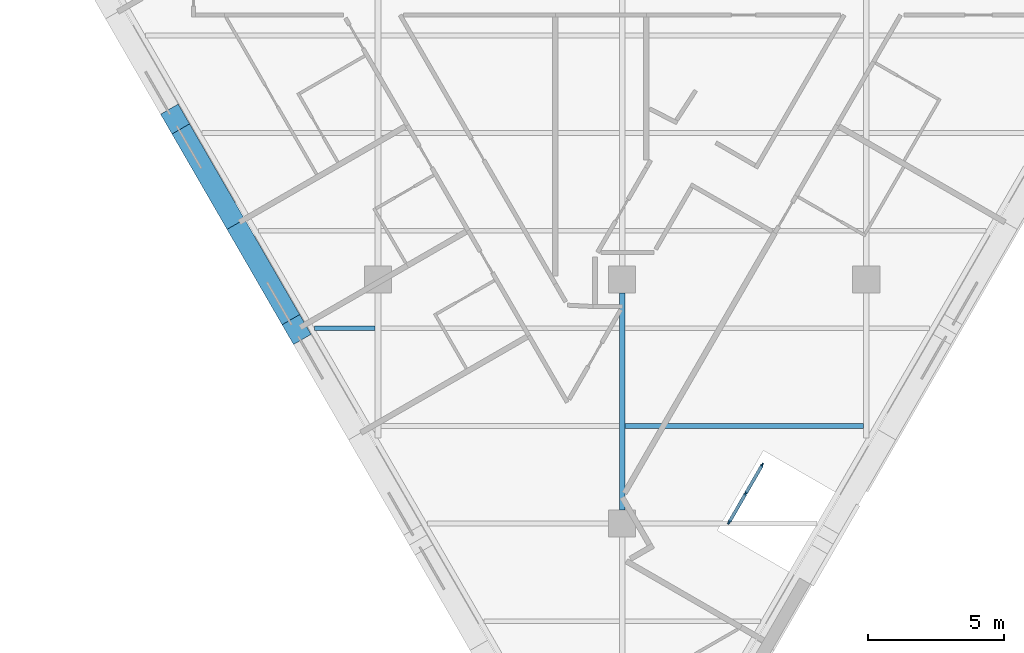
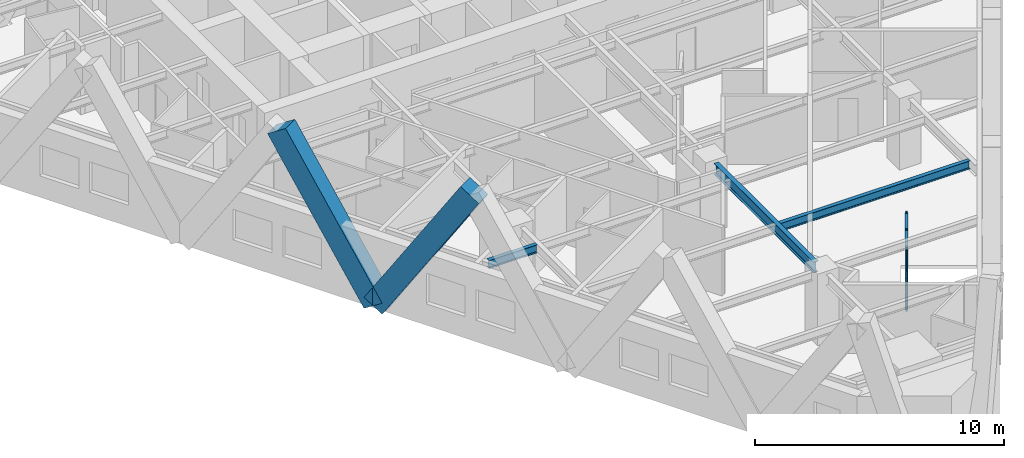
# One storey, part 2 of 12: 11 members, 3 beams, 1 element without a shape of its own.
"""IFC4 building model written with IfcOpenShell, lengths in metres."""

from ifc_helpers import new_model, si_unit, direction, frame, origin, origin_2d, place, context, subcontext, project, spatial, rectangle, i_section, extrude, material, material_profile, profile_set, type_object, element, aggregate, save


model = new_model("IFC4")

# Units and contexts
model_context = context("Model", 3, precision=1e-05, world=origin(), true_north=direction((0.0, 1.0)))
body_context = subcontext(model_context, "Body", "Model", "MODEL_VIEW")
ifc_project = project(units=[si_unit("LENGTHUNIT", "METRE"), si_unit("AREAUNIT", "SQUARE_METRE"), si_unit("VOLUMEUNIT", "CUBIC_METRE"), si_unit("PLANEANGLEUNIT", "RADIAN"), si_unit("MASSUNIT", "GRAM", prefix="KILO")], contexts=[model_context])

# Site, building, storey
site_placement = place(None, origin())
site = spatial("IfcSite", under=ifc_project, at=site_placement, CompositionType="ELEMENT")
building_placement = place(site_placement, origin())
building = spatial("IfcBuilding", under=site, at=building_placement, Name="Aloe Facet Convention Tower", CompositionType="ELEMENT")
storey_placement = place(building_placement, frame((0.0, 0.0, 70.0)))
storey = spatial("IfcBuildingStorey", under=building, at=storey_placement, Name="L16", CompositionType="ELEMENT", Elevation=70.0)

# Curtain wall, members
ifc_material_1 = material(Name="Aluminium, anodised", Category="aluminium")
curtain_wall_type = type_object("IfcCurtainWallType", Name="EV-CW-TERRACE", PredefinedType="USERDEFINED", material=ifc_material_1)
curtain_wall_placement = place(storey_placement, origin())
curtain_wall = element("IfcCurtainWall", 1, at=curtain_wall_placement, inside=storey, type_object=curtain_wall_type, Name="CW-T03", ObjectType="TERRACE BACK GLAZING", PredefinedType="USERDEFINED")
ifc_material_2 = material(Name="Aluminium, anodised", Category="aluminium")
ifc_material_profile_1 = material_profile(ifc_material_2, rectangle(XDim=0.06005859375, YDim=0.14990234375, at=origin_2d()), Name="AL 60x150")
ifc_profile_set_1 = profile_set([ifc_material_profile_1], Name="Aluminium, anodised")
member_type_1 = type_object("IfcMemberType", Name="EV-MULL-TERRACE", PredefinedType="MULLION", material=ifc_profile_set_1)
member_1_placement = place(storey_placement, frame((83.944091796875, 99.0517578125, -0.14990234375), z_axis=(0.0, 0.0, 1.0), x_axis=(-0.866025403741, 0.500000000076, 0.0)))
member_1 = element("IfcMember", 2, at=member_1_placement, type_object=member_type_1, Name="CW-T03 mullion 1", PredefinedType="MULLION", context=body_context, shape_type="SweptSolid", body=[
    extrude(rectangle(XDim=0.06005859375, YDim=0.14990234375, at=origin_2d()), origin(), (0.0, 0.0, 1.0), 3.097412109375),
])
member_2_placement = place(storey_placement, frame((84.553955078125, 100.1083984375, -0.14990234375), z_axis=(0.0, 0.0, 1.0), x_axis=(-0.866025403741, 0.500000000076, 0.0)))
member_2 = element("IfcMember", 3, at=member_2_placement, type_object=member_type_1, Name="CW-T03 mullion 2", PredefinedType="MULLION", context=body_context, shape_type="SweptSolid", body=[
    extrude(rectangle(XDim=0.06005859375, YDim=0.14990234375, at=origin_2d()), origin(), (0.0, 0.0, 1.0), 3.097412109375),
])
member_3_placement = place(storey_placement, frame((85.1640625, 101.1650390625, -0.14990234375), z_axis=(0.0, 0.0, 1.0), x_axis=(-0.866025403741, 0.500000000076, 0.0)))
member_3 = element("IfcMember", 4, at=member_3_placement, type_object=member_type_1, Name="CW-T03 mullion 3", PredefinedType="MULLION", context=body_context, shape_type="SweptSolid", body=[
    extrude(rectangle(XDim=0.06005859375, YDim=0.14990234375, at=origin_2d()), origin(), (0.0, 0.0, 1.0), 3.097412109375),
])
ifc_material_3 = material(Name="Aluminium, anodised", Category="aluminium")
ifc_material_profile_2 = material_profile(ifc_material_3, rectangle(XDim=0.1201171875, YDim=0.06005859375, at=origin_2d()), Name="AL 120x60")
ifc_profile_set_2 = profile_set([ifc_material_profile_2], Name="Aluminium, anodised")
member_type_2 = type_object("IfcMemberType", Name="EV-TRAN-TERRACE", PredefinedType="USERDEFINED", material=ifc_profile_set_2)
member_4_placement = place(storey_placement, frame((83.958984375, 99.077880859375, -0.1201171875), z_axis=(0.500032142234, 0.866006845662, 0.0), x_axis=(-0.866006845662, 0.500032142234, 0.0)))
member_4 = element("IfcMember", 5, at=member_4_placement, type_object=member_type_2, Name="CW-T03 transom 1.1", ObjectType="TRANSOM", PredefinedType="USERDEFINED", context=body_context, shape_type="SweptSolid", body=[
    extrude(rectangle(XDim=0.1201171875, YDim=0.06005859375, at=origin_2d()), origin(), (0.0, 0.0, 1.0), 1.16015625),
])
member_5_placement = place(storey_placement, frame((83.958984375, 99.077880859375, 1.398681640625), z_axis=(0.500032142234, 0.866006845662, 0.0), x_axis=(-0.866006845662, 0.500032142234, 0.0)))
member_5 = element("IfcMember", 6, at=member_5_placement, type_object=member_type_2, Name="CW-T03 transom 1.2", ObjectType="TRANSOM", PredefinedType="USERDEFINED", context=body_context, shape_type="SweptSolid", body=[
    extrude(rectangle(XDim=0.1201171875, YDim=0.06005859375, at=origin_2d()), origin(), (0.0, 0.0, 1.0), 1.16015625),
])
member_6_placement = place(storey_placement, frame((83.958984375, 99.077880859375, 2.91748046875), z_axis=(0.500032142234, 0.866006845662, 0.0), x_axis=(-0.866006845662, 0.500032142234, 0.0)))
member_6 = element("IfcMember", 7, at=member_6_placement, type_object=member_type_2, Name="CW-T03 transom 1.3", ObjectType="TRANSOM", PredefinedType="USERDEFINED", context=body_context, shape_type="SweptSolid", body=[
    extrude(rectangle(XDim=0.1201171875, YDim=0.06005859375, at=origin_2d()), origin(), (0.0, 0.0, 1.0), 1.16015625),
])
member_7_placement = place(storey_placement, frame((84.569091796875, 100.13427734375, -0.1201171875), z_axis=(0.500032142234, 0.866006845662, 0.0), x_axis=(-0.866006845662, 0.500032142234, 0.0)))
member_7 = element("IfcMember", 8, at=member_7_placement, type_object=member_type_2, Name="CW-T03 transom 2.1", ObjectType="TRANSOM", PredefinedType="USERDEFINED", context=body_context, shape_type="SweptSolid", body=[
    extrude(rectangle(XDim=0.1201171875, YDim=0.06005859375, at=origin_2d()), origin(), (0.0, 0.0, 1.0), 1.16015625),
])
member_8_placement = place(storey_placement, frame((84.569091796875, 100.13427734375, 1.398681640625), z_axis=(0.500032142234, 0.866006845662, 0.0), x_axis=(-0.866006845662, 0.500032142234, 0.0)))
member_8 = element("IfcMember", 9, at=member_8_placement, type_object=member_type_2, Name="CW-T03 transom 2.2", ObjectType="TRANSOM", PredefinedType="USERDEFINED", context=body_context, shape_type="SweptSolid", body=[
    extrude(rectangle(XDim=0.1201171875, YDim=0.06005859375, at=origin_2d()), origin(), (0.0, 0.0, 1.0), 1.16015625),
])
member_9_placement = place(storey_placement, frame((84.569091796875, 100.13427734375, 2.91748046875), z_axis=(0.500032142234, 0.866006845662, 0.0), x_axis=(-0.866006845662, 0.500032142234, 0.0)))
member_9 = element("IfcMember", 10, at=member_9_placement, type_object=member_type_2, Name="CW-T03 transom 2.3", ObjectType="TRANSOM", PredefinedType="USERDEFINED", context=body_context, shape_type="SweptSolid", body=[
    extrude(rectangle(XDim=0.1201171875, YDim=0.06005859375, at=origin_2d()), origin(), (0.0, 0.0, 1.0), 1.16015625),
])
aggregate(curtain_wall, [member_1, member_2, member_3, member_4, member_5, member_6, member_7, member_8, member_9])

# Beams
ifc_material_4 = material(Name="Steel S355", Category="steel")
ifc_material_profile_3 = material_profile(ifc_material_4, i_section(OverallWidth=0.177734375, OverallDepth=0.402587890625, WebThickness=0.0078125, FlangeThickness=0.010986328125, FilletRadius=0.01025390625, at=origin_2d()), Name="UB 406x178x54")
ifc_profile_set_3 = profile_set([ifc_material_profile_3], Name="Steel S355")
beam_type_1 = type_object("IfcBeamType", Name="SF-B-UB406x178x54", PredefinedType="BEAM", material=ifc_profile_set_3)
beam_1_placement = place(storey_placement, frame((68.665283203125, 106.199951171875, 3.148681640625), z_axis=(1.0, 0.0, 0.0), x_axis=(0.0, 1.0, 0.0)))
element("IfcBeam", 11, at=beam_1_placement, inside=storey, type_object=beam_type_1, Name="Floor beam FB-Z1B-023", PredefinedType="BEAM", context=body_context, shape_type="SweptSolid", body=[
    extrude(i_section(OverallWidth=0.177734375, OverallDepth=0.402587890625, WebThickness=0.0078125, FlangeThickness=0.010986328125, FilletRadius=0.01025390625, at=origin_2d()), origin(), (0.0, 0.0, 1.0), 2.229248046875),
])
beam_2_placement = place(storey_placement, frame((80.10546875, 102.60009765625, 3.148681640625), z_axis=(1.0, 0.0, 0.0), x_axis=(0.0, 1.0, 0.0)))
element("IfcBeam", 12, at=beam_2_placement, inside=storey, type_object=beam_type_1, Name="Floor beam FB-Z1B-034", PredefinedType="BEAM", context=body_context, shape_type="SweptSolid", body=[
    extrude(i_section(OverallWidth=0.177734375, OverallDepth=0.402587890625, WebThickness=0.0078125, FlangeThickness=0.010986328125, FilletRadius=0.01025390625, at=origin_2d()), origin(), (0.0, 0.0, 1.0), 8.7890625),
])
ifc_material_5 = material(Name="Steel S355", Category="steel")
ifc_material_profile_4 = material_profile(ifc_material_5, i_section(OverallWidth=0.210693359375, OverallDepth=0.53955078125, WebThickness=0.01171875, FlangeThickness=0.018798828125, FilletRadius=0.0126953125, at=origin_2d()), Name="UB 533x210x109")
ifc_profile_set_4 = profile_set([ifc_material_profile_4], Name="Steel S355")
beam_type_2 = type_object("IfcBeamType", Name="SF-B-UB533x210x109", PredefinedType="BEAM", material=ifc_profile_set_4)
beam_3_placement = place(storey_placement, frame((80.0, 107.5, 3.080078125), z_axis=(0.0, -1.0, 0.0), x_axis=(1.0, 0.0, 0.0)))
element("IfcBeam", 13, at=beam_3_placement, inside=storey, type_object=beam_type_2, Name="Floor beam FB-Z1B-012", PredefinedType="BEAM", context=body_context, shape_type="SweptSolid", body=[
    extrude(i_section(OverallWidth=0.210693359375, OverallDepth=0.53955078125, WebThickness=0.01171875, FlangeThickness=0.018798828125, FilletRadius=0.0126953125, at=origin_2d()), origin(), (0.0, 0.0, 1.0), 8.0),
])

# Members
ifc_material_6 = material(Name="Concrete C60/75, bronze oxide finish", Category="concrete")
ifc_material_profile_5 = material_profile(ifc_material_6, rectangle(XDim=0.75, YDim=1.0, at=origin_2d()), Name="STW-LM")
ifc_profile_set_5 = profile_set([ifc_material_profile_5], Name="Concrete C60/75, bronze oxide finish")
member_type_3 = type_object("IfcMemberType", Name="STW-LM", PredefinedType="BRACE", material=ifc_profile_set_5)
for number, where, z_axis, x_axis, name in (
    (14, (65.759765625, 110.03515625, 0.0), (-0.269524411036, 0.466842718276, 0.842267456482), (-0.866031314237, -0.499989762656, 0.0), "Lattice member LM-Z1-F2-R5-05"),
    (15, (65.759765625, 110.03515625, 0.0), (0.26952810724, -0.466819744104, 0.842279007171), (0.866017690131, 0.500013360201, 0.0), "Lattice member LM-Z1-F2-R5-06"),
):
    element("IfcMember", number, at=place(storey_placement, frame(where, z_axis=z_axis, x_axis=x_axis)), inside=storey, type_object=member_type_3, Name=name, PredefinedType="BRACE", context=body_context, shape_type="SweptSolid", body=[
        extrude(rectangle(XDim=0.75, YDim=1.0, at=origin_2d()), origin(), (0.0, 0.0, 1.0), 8.310791015625),
    ])

save(model, "model.ifc")
